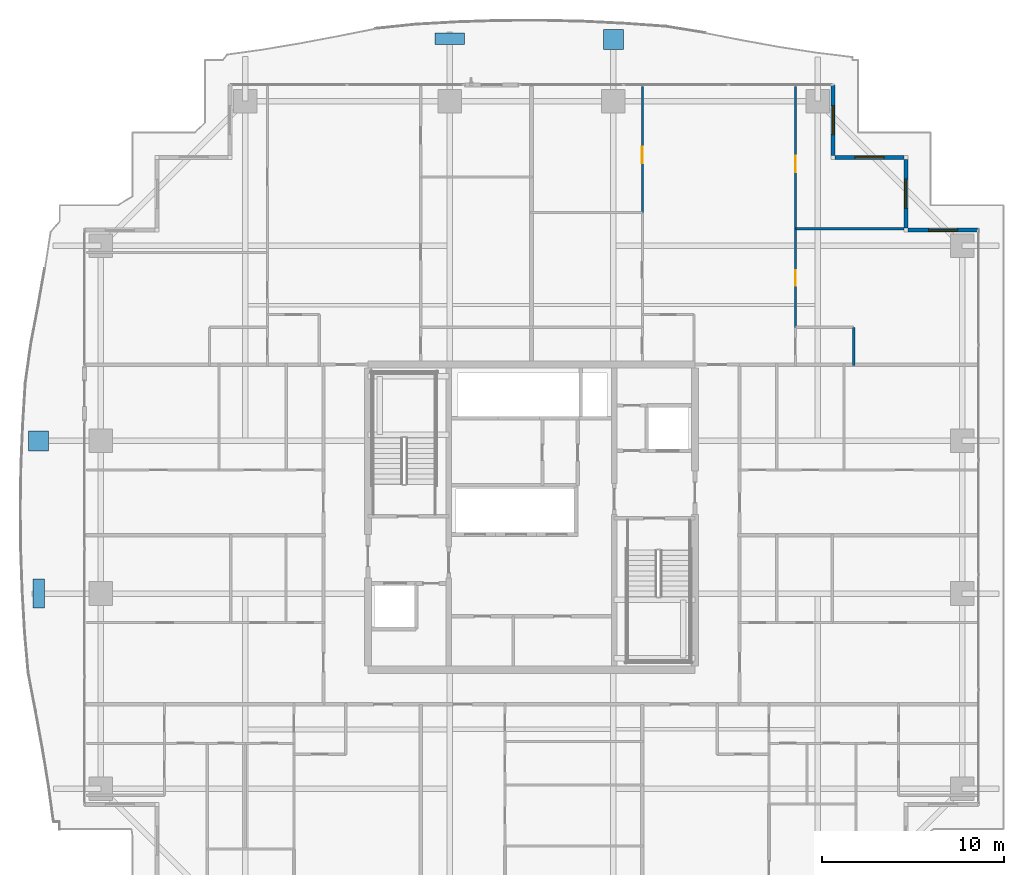
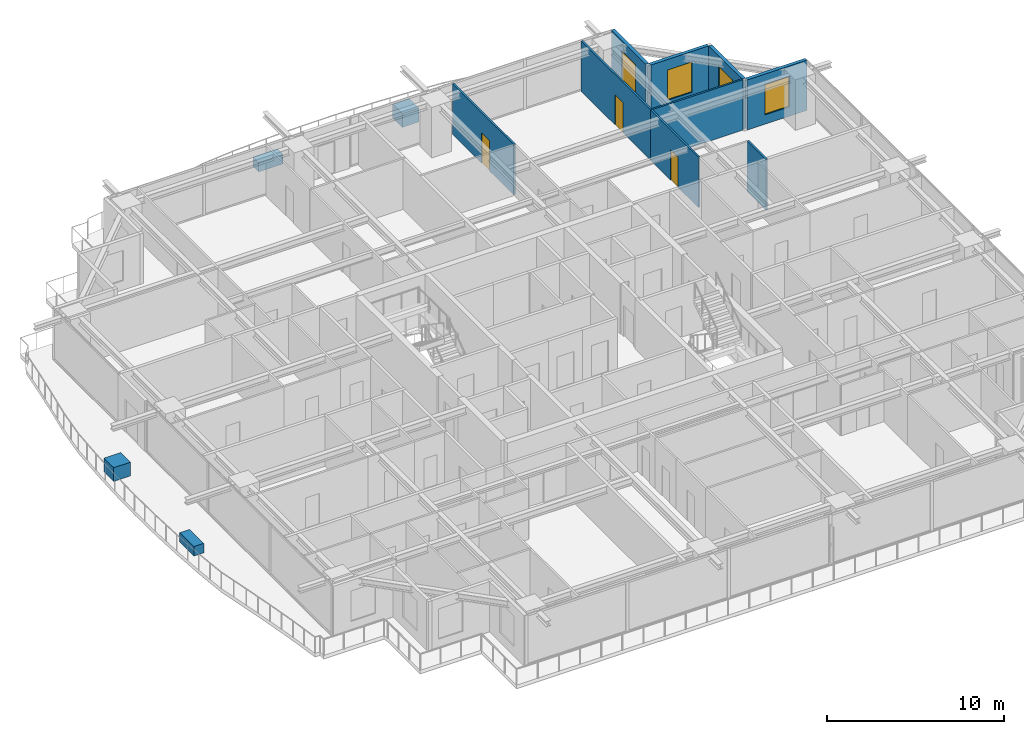
# One storey, part 31 of 39: 9 walls, 4 discrete accessories, 4 windows, 3 doors, 7 openings.
"""IFC4 building model written with IfcOpenShell, lengths in metres."""

from ifc_helpers import new_model, si_unit, direction, frame, frame_2d, origin, origin_2d, place, context, subcontext, project, spatial, rectangle, extrude, source, transform, mapped, material, layer, layer_set, type_object, element, fill, save


model = new_model("IFC4")

# Units and contexts
model_context = context("Model", 3, precision=1e-05, world=origin(), true_north=direction((0.0, 1.0)))
body_context = subcontext(model_context, "Body", "Model", "MODEL_VIEW")
ifc_project = project(units=[si_unit("LENGTHUNIT", "METRE"), si_unit("AREAUNIT", "SQUARE_METRE"), si_unit("VOLUMEUNIT", "CUBIC_METRE"), si_unit("PLANEANGLEUNIT", "RADIAN"), si_unit("MASSUNIT", "GRAM", prefix="KILO")], contexts=[model_context])

# Site, building, storey
site_placement = place(None, origin())
site = spatial("IfcSite", under=ifc_project, at=site_placement, CompositionType="ELEMENT")
building_placement = place(site_placement, origin())
building = spatial("IfcBuilding", under=site, at=building_placement, Name="Serunith Strait Residences", CompositionType="ELEMENT")
storey_placement = place(building_placement, frame((0.0, 0.0, 123.89990234375)))
storey = spatial("IfcBuildingStorey", under=building, at=storey_placement, Name="L30", CompositionType="ELEMENT", Elevation=123.89990234375)

# Wall, opening, window
ifc_material_1 = material(Name="Pale-Champagne Aluminium Insulated Panel", Category="aluminium")
ifc_layer_1 = layer(ifc_material_1, 0.219970703125, Name="Pale-Champagne Aluminium Insulated Panel")
ifc_layer_set_1 = layer_set([ifc_layer_1], Name="Pale-Champagne Aluminium Insulated Panel")
wall_type_1 = type_object("IfcWallType", Name="EW-ALUM-220", PredefinedType="ELEMENTEDWALL", material=ifc_layer_set_1)
wall_1_placement = place(storey_placement, frame((57.0, 41.0, 0.0), z_axis=(0.0, 0.0, 1.0), x_axis=(-1.0, 0.0, 0.0)))
wall_1 = element("IfcWall", 1, at=wall_1_placement, inside=storey, type_object=wall_type_1, Name="L30 Girih Serrated Corner Wall 07", PredefinedType="ELEMENTEDWALL", context=body_context, shape_type="SweptSolid", body=[
    extrude(rectangle(XDim=3.889892578125, YDim=0.219970703125, at=frame_2d((1.94482421875, 0.0))), origin(), (0.0, 0.0, 1.0), 3.47509765625),
])
opening_1_placement = place(wall_1_placement, frame((1.14501953125, 0.0, 0.64990234375)))
opening_1 = element("IfcOpeningElement", 2, at=opening_1_placement, cuts=wall_1, Name="Opening W-02", PredefinedType="OPENING", context=body_context, shape_type="SweptSolid", body=[
    extrude(rectangle(XDim=1.60009765625, YDim=2.10009765625, at=frame_2d((0.800048828125, 1.050048828125))), frame((0.0, 0.1201171875, 0.0), z_axis=(0.0, -1.0, 0.0), x_axis=(1.0, 0.0, 0.0)), (0.0, 0.0, 1.0), 0.239990234375),
])
ifc_material_2 = material(Name="Ceramic-Fritted Operable Aluminium Window Glass", Category="aluminium")
window_type = type_object("IfcWindowType", Name="WIN-C2", PartitioningType="DOUBLE_PANEL_VERTICAL", PredefinedType="WINDOW", material=ifc_material_2)
shared_shape_1 = source(origin(), body_context, "Body", "SweptSolid", [
    extrude(rectangle(XDim=1.60009765625, YDim=2.10009765625, at=frame_2d((0.800048828125, 1.050048828125))), frame((0.0, 0.030029296875, 0.0), z_axis=(0.0, -1.0, 0.0), x_axis=(1.0, 0.0, 0.0)), (0.0, 0.0, 1.0), 0.06005859375),
])
window_1_placement = place(opening_1_placement, origin())
window_1 = element("IfcWindow", 3, at=window_1_placement, inside=storey, type_object=window_type, Name="L30 Corner Operable Fritted Window 07", OverallHeight=2.10009765625, OverallWidth=1.60009765625, PartitioningType="SINGLE_PANEL", PredefinedType="WINDOW", context=body_context, shape_type="MappedRepresentation", body=[
    mapped(shared_shape_1, transform((0.0, 0.0, 0.0), scale=1.0)),
])
fill(opening_1, window_1)

wall_2_placement = place(storey_placement, frame((53.0, 41.110107421875, 0.0), z_axis=(0.0, 0.0, 1.0), x_axis=(0.0, 1.0, 0.0)))
wall_2 = element("IfcWall", 4, at=wall_2_placement, inside=storey, type_object=wall_type_1, Name="L30 Girih Serrated Corner Wall 08", PredefinedType="ELEMENTEDWALL", context=body_context, shape_type="SweptSolid", body=[
    extrude(rectangle(XDim=3.77978515625, YDim=0.219970703125, at=frame_2d((1.889892578125, 0.0))), origin(), (0.0, 0.0, 1.0), 3.47509765625),
])
opening_2_placement = place(wall_2_placement, frame((1.090087890625, 0.0, 0.64990234375)))
opening_2 = element("IfcOpeningElement", 5, at=opening_2_placement, cuts=wall_2, Name="Opening W-02", PredefinedType="OPENING", context=body_context, shape_type="SweptSolid", body=[
    extrude(rectangle(XDim=1.60009765625, YDim=2.10009765625, at=frame_2d((0.800048828125, 1.050048828125))), frame((0.0, 0.1201171875, 0.0), z_axis=(0.0, -1.0, 0.0), x_axis=(1.0, 0.0, 0.0)), (0.0, 0.0, 1.0), 0.239990234375),
])
window_2_placement = place(opening_2_placement, origin())
window_2 = element("IfcWindow", 6, at=window_2_placement, inside=storey, type_object=window_type, Name="L30 Corner Operable Fritted Window 08", OverallHeight=2.10009765625, OverallWidth=1.60009765625, PartitioningType="SINGLE_PANEL", PredefinedType="WINDOW", context=body_context, shape_type="MappedRepresentation", body=[
    mapped(shared_shape_1, transform((0.0, 0.0, 0.0), scale=1.0)),
])
fill(opening_2, window_2)

wall_3_placement = place(storey_placement, frame((52.889892578125, 45.0, 0.0), z_axis=(0.0, 0.0, 1.0), x_axis=(-1.0, 0.0, 0.0)))
wall_3 = element("IfcWall", 7, at=wall_3_placement, inside=storey, type_object=wall_type_1, Name="L30 Girih Serrated Corner Wall 09", PredefinedType="ELEMENTEDWALL", context=body_context, shape_type="SweptSolid", body=[
    extrude(rectangle(XDim=3.77978515625, YDim=0.219970703125, at=frame_2d((1.889892578125, 0.0))), origin(), (0.0, 0.0, 1.0), 3.47509765625),
])
opening_3_placement = place(wall_3_placement, frame((1.090087890625, 0.0, 0.64990234375)))
opening_3 = element("IfcOpeningElement", 8, at=opening_3_placement, cuts=wall_3, Name="Opening W-02", PredefinedType="OPENING", context=body_context, shape_type="SweptSolid", body=[
    extrude(rectangle(XDim=1.60009765625, YDim=2.10009765625, at=frame_2d((0.800048828125, 1.050048828125))), frame((0.0, 0.1201171875, 0.0), z_axis=(0.0, -1.0, 0.0), x_axis=(1.0, 0.0, 0.0)), (0.0, 0.0, 1.0), 0.239990234375),
])
window_3_placement = place(opening_3_placement, origin())
window_3 = element("IfcWindow", 9, at=window_3_placement, inside=storey, type_object=window_type, Name="L30 Corner Operable Fritted Window 09", OverallHeight=2.10009765625, OverallWidth=1.60009765625, PartitioningType="SINGLE_PANEL", PredefinedType="WINDOW", context=body_context, shape_type="MappedRepresentation", body=[
    mapped(shared_shape_1, transform((0.0, 0.0, 0.0), scale=1.0)),
])
fill(opening_3, window_3)

wall_4_placement = place(storey_placement, frame((49.0, 45.110107421875, 0.0), z_axis=(0.0, 0.0, 1.0), x_axis=(0.0, 1.0, 0.0)))
wall_4 = element("IfcWall", 10, at=wall_4_placement, inside=storey, type_object=wall_type_1, Name="L30 Girih Serrated Corner Wall 10", PredefinedType="ELEMENTEDWALL", context=body_context, shape_type="SweptSolid", body=[
    extrude(rectangle(XDim=3.889892578125, YDim=0.219970703125, at=frame_2d((1.94482421875, 0.0))), origin(), (0.0, 0.0, 1.0), 3.47509765625),
])
opening_4_placement = place(wall_4_placement, frame((1.14501953125, 0.0, 0.64990234375)))
opening_4 = element("IfcOpeningElement", 11, at=opening_4_placement, cuts=wall_4, Name="Opening W-02", PredefinedType="OPENING", context=body_context, shape_type="SweptSolid", body=[
    extrude(rectangle(XDim=1.60009765625, YDim=2.10009765625, at=frame_2d((0.800048828125, 1.050048828125))), frame((0.0, 0.1201171875, 0.0), z_axis=(0.0, -1.0, 0.0), x_axis=(1.0, 0.0, 0.0)), (0.0, 0.0, 1.0), 0.239990234375),
])
window_4_placement = place(opening_4_placement, origin())
window_4 = element("IfcWindow", 12, at=window_4_placement, inside=storey, type_object=window_type, Name="L30 Corner Operable Fritted Window 10", OverallHeight=2.10009765625, OverallWidth=1.60009765625, PartitioningType="SINGLE_PANEL", PredefinedType="WINDOW", context=body_context, shape_type="MappedRepresentation", body=[
    mapped(shared_shape_1, transform((0.0, 0.0, 0.0), scale=1.0)),
])
fill(opening_4, window_4)

# Wall, opening, door
ifc_material_3 = material(Name="Lightweight steel-stud gypsum partition", Category="steel")
ifc_layer_2 = layer(ifc_material_3, 0.1201171875, Name="Lightweight steel-stud gypsum partition")
ifc_layer_set_2 = layer_set([ifc_layer_2], Name="Lightweight steel-stud gypsum partition")
wall_type_2 = type_object("IfcWallType", Name="IW-PART-120", PredefinedType="PARTITIONING", material=ifc_layer_set_2)
wall_5_placement = place(storey_placement, frame((38.5, 48.905029296875, 0.0), z_axis=(0.0, 0.0, 1.0), x_axis=(0.0, -1.0, 0.0)))
wall_5 = element("IfcWall", 13, at=wall_5_placement, inside=storey, type_object=wall_type_2, Name="L30 Partition Wall 084", PredefinedType="PARTITIONING", context=body_context, shape_type="SweptSolid", body=[
    extrude(rectangle(XDim=6.93994140625, YDim=0.1201171875, at=frame_2d((3.469970703125, 0.0))), origin(), (0.0, 0.0, 1.0), 3.489990234375),
])
opening_5_placement = place(wall_5_placement, frame((3.322021484375, 0.0, 0.0)))
opening_5 = element("IfcOpeningElement", 14, at=opening_5_placement, cuts=wall_5, Name="Opening D-RM900", PredefinedType="OPENING", context=body_context, shape_type="SweptSolid", body=[
    extrude(rectangle(XDim=0.89990234375, YDim=2.10009765625, at=frame_2d((0.449951171875, 1.050048828125))), frame((0.0, 0.070068359375, 0.0), z_axis=(0.0, -1.0, 0.0), x_axis=(1.0, 0.0, 0.0)), (0.0, 0.0, 1.0), 0.14013671875),
])
ifc_material_4 = material(Name="Engineered timber flush bedroom door", Category="wood")
door_type_1 = type_object("IfcDoorType", Name="ID-ROOM-900", OperationType="NOTDEFINED", PredefinedType="DOOR", material=ifc_material_4)
shared_shape_2 = source(origin(), body_context, "Body", "SweptSolid", [
    extrude(rectangle(XDim=0.89990234375, YDim=2.10009765625, at=frame_2d((0.449951171875, 1.050048828125))), frame((0.0, 0.02490234375, 0.0), z_axis=(0.0, -1.0, 0.0), x_axis=(1.0, 0.0, 0.0)), (0.0, 0.0, 1.0), 0.050048828125),
])
door_1_placement = place(opening_5_placement, origin())
door_1 = element("IfcDoor", 15, at=door_1_placement, inside=storey, type_object=door_type_1, Name="L30 Master Bedroom 1 3005 Door", OperationType="SINGLE_SWING_LEFT", OverallHeight=2.10009765625, OverallWidth=0.89990234375, PredefinedType="DOOR", context=body_context, shape_type="MappedRepresentation", body=[
    mapped(shared_shape_2, transform((0.0, 0.0, 0.0), scale=1.0)),
])
fill(opening_5, door_1)

wall_6_placement = place(storey_placement, frame((46.929931640625, 48.905029296875, 0.0), z_axis=(0.0, 0.0, 1.0), x_axis=(0.0, -1.0, 0.0)))
wall_6 = element("IfcWall", 16, at=wall_6_placement, inside=storey, type_object=wall_type_2, Name="L30 Partition Wall 089", PredefinedType="PARTITIONING", context=body_context, shape_type="SweptSolid", body=[
    extrude(rectangle(XDim=7.830078125, YDim=0.1201171875, at=frame_2d((3.9150390625, 0.0))), origin(), (0.0, 0.0, 1.0), 3.489990234375),
])
opening_6_placement = place(wall_6_placement, frame((3.81103515625, 0.0, 0.0)))
opening_6 = element("IfcOpeningElement", 17, at=opening_6_placement, cuts=wall_6, Name="Opening D-RM900", PredefinedType="OPENING", context=body_context, shape_type="SweptSolid", body=[
    extrude(rectangle(XDim=0.89990234375, YDim=2.10009765625, at=frame_2d((0.449951171875, 1.050048828125))), frame((0.0, 0.070068359375, 0.0), z_axis=(0.0, -1.0, 0.0), x_axis=(1.0, 0.0, 0.0)), (0.0, 0.0, 1.0), 0.14013671875),
])
door_2_placement = place(opening_6_placement, origin())
door_2 = element("IfcDoor", 18, at=door_2_placement, inside=storey, type_object=door_type_1, Name="L30 Bedroom 2 3005 Door", OperationType="SINGLE_SWING_RIGHT", OverallHeight=2.10009765625, OverallWidth=0.89990234375, PredefinedType="DOOR", context=body_context, shape_type="MappedRepresentation", body=[
    mapped(shared_shape_2, transform((0.0, 0.0, 0.0), scale=1.0)),
])
fill(opening_6, door_2)

# Walls
wall_7_placement = place(storey_placement, frame((46.929931640625, 41.074951171875, 0.0), z_axis=(0.0, 0.0, 1.0), x_axis=(1.0, 0.0, 0.0)))
element("IfcWall", 19, at=wall_7_placement, inside=storey, type_object=wall_type_2, Name="L30 Partition Wall 090", PredefinedType="PARTITIONING", context=body_context, shape_type="SweptSolid", body=[
    extrude(rectangle(XDim=5.97509765625, YDim=0.1201171875, at=frame_2d((2.987548828125, 0.0))), origin(), (0.0, 0.0, 1.0), 3.489990234375),
])
wall_8_placement = place(storey_placement, frame((50.1298828125, 35.64990234375, 0.0), z_axis=(0.0, 0.0, 1.0), x_axis=(0.0, -1.0, 0.0)))
element("IfcWall", 20, at=wall_8_placement, inside=storey, type_object=wall_type_2, Name="L30 Partition Wall 092", PredefinedType="PARTITIONING", context=body_context, shape_type="SweptSolid", body=[
    extrude(rectangle(XDim=2.10986328125, YDim=0.1201171875, at=frame_2d((1.054931640625, 0.0))), origin(), (0.0, 0.0, 1.0), 3.489990234375),
])

# Wall, opening, door
wall_9_placement = place(storey_placement, frame((46.929931640625, 41.072998046875, 0.0), z_axis=(0.0, 0.0, 1.0), x_axis=(0.0, -1.0, 0.0)))
wall_9 = element("IfcWall", 21, at=wall_9_placement, inside=storey, type_object=wall_type_2, Name="L30 Partition Wall 093", PredefinedType="PARTITIONING", context=body_context, shape_type="SweptSolid", body=[
    extrude(rectangle(XDim=5.423095703125, YDim=0.1201171875, at=frame_2d((2.71142578125, 0.0))), origin(), (0.0, 0.0, 1.0), 3.489990234375),
])
opening_7_placement = place(wall_9_placement, frame((2.287109375, 0.0, 0.0)))
opening_7 = element("IfcOpeningElement", 22, at=opening_7_placement, cuts=wall_9, Name="Opening D-RM850", PredefinedType="OPENING", context=body_context, shape_type="SweptSolid", body=[
    extrude(rectangle(XDim=0.85009765625, YDim=2.10009765625, at=frame_2d((0.425048828125, 1.050048828125))), frame((0.0, 0.070068359375, 0.0), z_axis=(0.0, -1.0, 0.0), x_axis=(1.0, 0.0, 0.0)), (0.0, 0.0, 1.0), 0.14013671875),
])
ifc_material_5 = material(Name="Engineered timber flush study and kitchen door", Category="wood")
door_type_2 = type_object("IfcDoorType", Name="ID-ROOM-850", OperationType="NOTDEFINED", PredefinedType="DOOR", material=ifc_material_5)
shared_shape_3 = source(origin(), body_context, "Body", "SweptSolid", [
    extrude(rectangle(XDim=0.85009765625, YDim=2.10009765625, at=frame_2d((0.425048828125, 1.050048828125))), frame((0.0, 0.02490234375, 0.0), z_axis=(0.0, -1.0, 0.0), x_axis=(1.0, 0.0, 0.0)), (0.0, 0.0, 1.0), 0.050048828125),
])
door_3_placement = place(opening_7_placement, origin())
door_3 = element("IfcDoor", 23, at=door_3_placement, inside=storey, type_object=door_type_2, Name="L30 Walk-in Wardrobe 3005 Door", OperationType="SINGLE_SWING_LEFT", OverallHeight=2.10009765625, OverallWidth=0.85009765625, PredefinedType="DOOR", context=body_context, shape_type="MappedRepresentation", body=[
    mapped(shared_shape_3, transform((0.0, 0.0, 0.0), scale=1.0)),
])
fill(opening_7, door_3)

# Discrete accessories
ifc_material_6 = material(Name="GFRC Root-Anchored Structural Planter")
discrete_accessory_type_1 = type_object("IfcDiscreteAccessoryType", Name="ACC-PLANTER-TREE", PredefinedType="USERDEFINED", material=ifc_material_6)
shared_shape_4 = source(origin(), body_context, "Body", "SweptSolid", [
    extrude(rectangle(XDim=1.10009765625, YDim=1.10009765625, at=origin_2d()), origin(), (0.0, 0.0, 1.0), 0.949951171875),
])
for number, where, z_axis, x_axis, name in (
    (24, (36.89990234375, 51.50439453125, -0.0498046875), (0.0, 0.0, 1.0), (-1.0, 0.0, 0.0), "L30 Vertical-Forest Tree Planter 07"),
    (25, (5.26513671875, 29.39990234375, -0.0498046875), (0.0, 0.0, 1.0), (0.0, -1.0, 0.0), "L30 Vertical-Forest Tree Planter 15"),
):
    element("IfcDiscreteAccessory", number, at=place(storey_placement, frame(where, z_axis=z_axis, x_axis=x_axis)), inside=storey, type_object=discrete_accessory_type_1, Name=name, ObjectType="PLANTER", PredefinedType="USERDEFINED", context=body_context, shape_type="MappedRepresentation", body=[
        mapped(shared_shape_4, transform((0.0, 0.0, 0.0), scale=1.0)),
    ])
ifc_material_7 = material(Name="GFRC Irrigated Shrub Trough Planter")
discrete_accessory_type_2 = type_object("IfcDiscreteAccessoryType", Name="ACC-PLANTER-SHRUB", PredefinedType="USERDEFINED", material=ifc_material_7)
shared_shape_5 = source(origin(), body_context, "Body", "SweptSolid", [
    extrude(rectangle(XDim=1.60009765625, YDim=0.64990234375, at=origin_2d()), origin(), (0.0, 0.0, 1.0), 0.64990234375),
])
for number, where, z_axis, x_axis, name in (
    (26, (27.89990234375, 51.53271484375, -0.0498046875), (0.0, 0.0, 1.0), (-1.0, 0.0, 0.0), "L30 Vertical-Forest Shrub Planter 06"),
    (27, (5.284423828125, 21.0, -0.0498046875), (0.0, 0.0, 1.0), (0.0, -1.0, 0.0), "L30 Vertical-Forest Shrub Planter 14"),
):
    element("IfcDiscreteAccessory", number, at=place(storey_placement, frame(where, z_axis=z_axis, x_axis=x_axis)), inside=storey, type_object=discrete_accessory_type_2, Name=name, ObjectType="PLANTER", PredefinedType="USERDEFINED", context=body_context, shape_type="MappedRepresentation", body=[
        mapped(shared_shape_5, transform((0.0, 0.0, 0.0), scale=1.0)),
    ])

save(model, "model.ifc")
